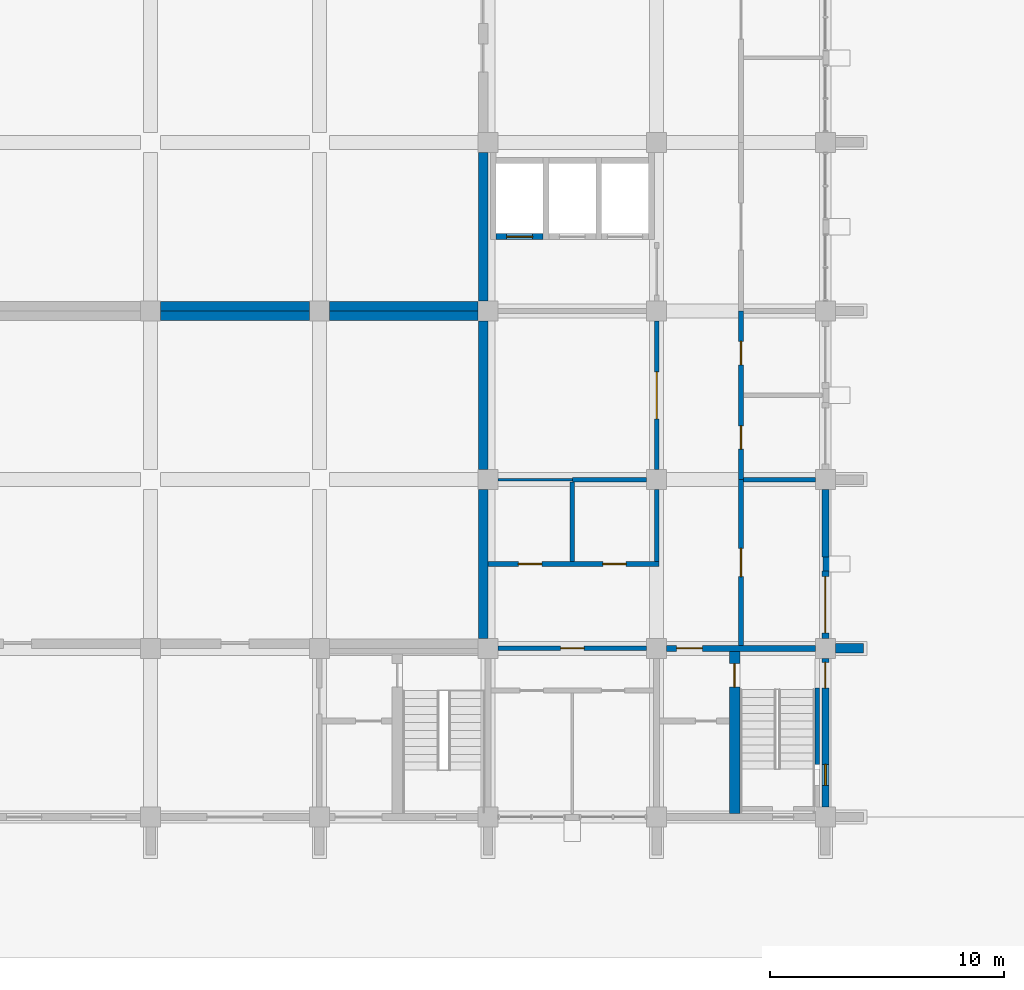
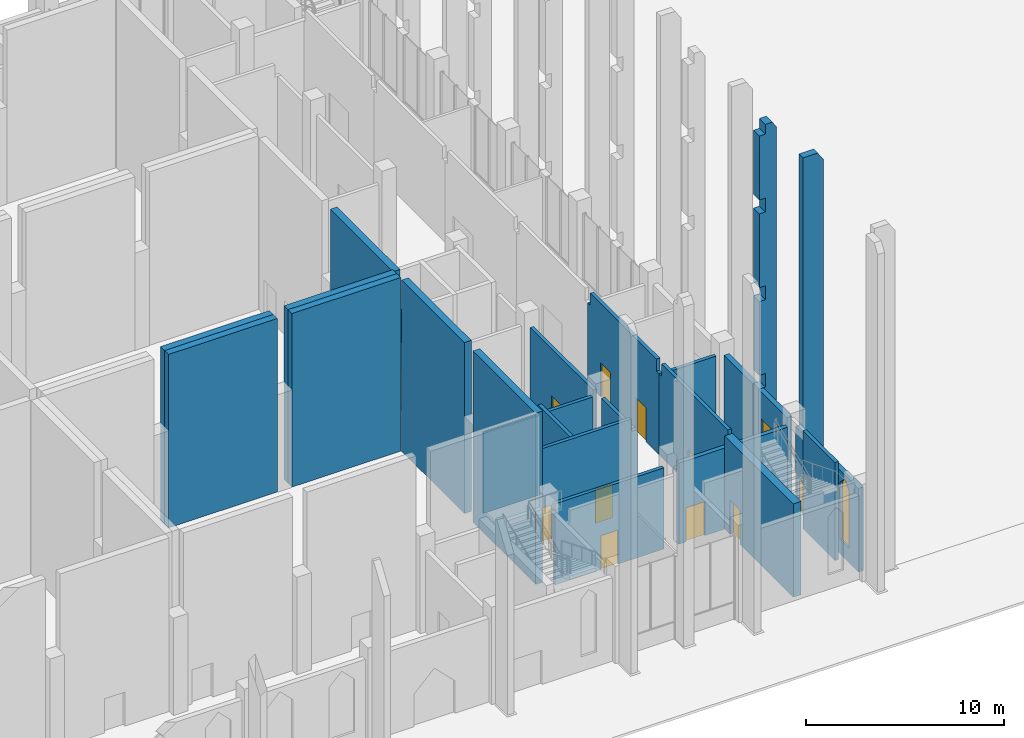
# One storey, part 37 of 50: 26 walls, 12 doors, 1 window, 13 openings.
"""IFC4 building model written with IfcOpenShell, lengths in metres."""

from ifc_helpers import new_model, si_unit, direction, frame, frame_2d, origin, place, context, subcontext, project, spatial, polyline, rectangle, outline, extrude, material, layer, layer_set, type_object, element, fill, save


model = new_model("IFC4")

# Units and contexts
model_context = context("Model", 3, precision=1e-05, world=origin(), true_north=direction((0.0, 1.0)))
body_context = subcontext(model_context, "Body", "Model", "MODEL_VIEW")
ifc_project = project(units=[si_unit("LENGTHUNIT", "METRE"), si_unit("AREAUNIT", "SQUARE_METRE"), si_unit("VOLUMEUNIT", "CUBIC_METRE"), si_unit("PLANEANGLEUNIT", "RADIAN"), si_unit("MASSUNIT", "GRAM", prefix="KILO")], contexts=[model_context])

# Site, building, storey
site_placement = place(None, origin())
site = spatial("IfcSite", under=ifc_project, at=site_placement, CompositionType="ELEMENT")
building_placement = place(site_placement, origin())
building = spatial("IfcBuilding", under=site, at=building_placement, Name="Silangan Lancet Faculty of Sciences", CompositionType="ELEMENT")
storey_placement = place(building_placement, origin())
storey = spatial("IfcBuildingStorey", under=building, at=storey_placement, Name="L00", CompositionType="ELEMENT", Elevation=0.0)

# Wall, opening, door
ifc_material_1 = material(Name="Concrete C40/50 precast", Category="concrete")
ifc_layer_1 = layer(ifc_material_1, 0.300048828125)
ifc_layer_set_1 = layer_set([ifc_layer_1], Name="Concrete C40/50 precast")
wall_type_1 = type_object("IfcWallType", Name="EW1 Precast cladding wall", PredefinedType="STANDARD", material=ifc_layer_set_1)
wall_1_placement = place(storey_placement, frame((86.39990234375, 7.625, 0.0), z_axis=(0.0, 0.0, 1.0), x_axis=(0.0, 1.0, 0.0)))
wall_1 = element("IfcWall", 1, at=wall_1_placement, inside=storey, type_object=wall_type_1, Name="EW-L00-E-EB-m00", PredefinedType="STANDARD", context=body_context, shape_type="SweptSolid", body=[
    extrude(rectangle(XDim=2.875, YDim=0.300048828125, at=frame_2d((1.4375, 0.0))), origin(), (0.0, 0.0, 1.0), 5.14990234375),
])
opening_1_placement = place(wall_1_placement, frame((0.237548828125, 0.0, 0.0)))
opening_1 = element("IfcOpeningElement", 2, at=opening_1_placement, cuts=wall_1, Name="Opening L00-916", PredefinedType="OPENING", context=body_context, shape_type="SweptSolid", body=[
    extrude(rectangle(XDim=2.39990234375, YDim=3.5, at=frame_2d((1.199951171875, 1.75))), frame((0.0, 0.159912109375, 0.0), z_axis=(0.0, -1.0, 0.0), x_axis=(1.0, 0.0, 0.0)), (0.0, 0.0, 1.0), 0.320068359375),
])
ifc_material_2 = material(Name="Steel roller shutter, insulated", Category="steel")
door_type_1 = type_object("IfcDoorType", Name="XD6 Loading dock door 2400 x 3500", OperationType="ROLLINGUP", PredefinedType="DOOR", material=ifc_material_2)
door_1_placement = place(opening_1_placement, frame((2.39990234375, 0.0, 0.0), z_axis=(0.0, 0.0, 1.0), x_axis=(-1.0, 0.0, 0.0)))
door_1 = element("IfcDoor", 3, at=door_1_placement, inside=storey, type_object=door_type_1, Name="DOOR-L00-916", OperationType="ROLLINGUP", OverallHeight=3.5, OverallWidth=2.39990234375, PredefinedType="DOOR", context=body_context, shape_type="SweptSolid", body=[
    extrude(rectangle(XDim=2.39990234375, YDim=3.5, at=frame_2d((1.199951171875, 1.75))), frame((0.0, 0.025146484375, 0.0), z_axis=(0.0, -1.0, 0.0), x_axis=(1.0, 0.0, 0.0)), (0.0, 0.0, 1.0), 0.050048828125),
])
fill(opening_1, door_1)

# Wall
wall_2_placement = place(storey_placement, frame((86.39990234375, 11.10009765625, 0.0), z_axis=(0.0, 0.0, 1.0), x_axis=(0.0, 1.0, 0.0)))
element("IfcWall", 4, at=wall_2_placement, inside=storey, type_object=wall_type_1, Name="EW-L00-E-EB-m01", PredefinedType="STANDARD", context=body_context, shape_type="SweptSolid", body=[
    extrude(rectangle(XDim=2.875, YDim=0.300048828125, at=frame_2d((1.4375, 0.0))), origin(), (0.0, 0.0, 1.0), 5.14990234375),
])

# Wall, openings, window, door
ifc_material_3 = material(Name="Concrete C40/50 precast", Category="concrete")
ifc_layer_2 = layer(ifc_material_3, 0.300048828125)
ifc_layer_set_2 = layer_set([ifc_layer_2], Name="Concrete C40/50 precast")
wall_type_2 = type_object("IfcWallType", Name="EW2 Turret enclosure wall", PredefinedType="STANDARD", material=ifc_layer_set_2)
wall_3_placement = place(storey_placement, frame((86.39990234375, 0.425048828125, 0.0), z_axis=(0.0, 0.0, 1.0), x_axis=(0.0, 1.0, 0.0)))
wall_3 = element("IfcWall", 5, at=wall_3_placement, inside=storey, type_object=wall_type_2, Name="EW-L00-E-EB-00", PredefinedType="STANDARD", context=body_context, shape_type="SweptSolid", body=[
    extrude(rectangle(XDim=6.349853515625, YDim=0.300048828125, at=frame_2d((3.1748046875, 0.0))), origin(), (0.0, 0.0, 1.0), 5.14990234375),
])
opening_2_placement = place(wall_3_placement, frame((5.074951171875, 0.0, 0.0)))
opening_2 = element("IfcOpeningElement", 6, at=opening_2_placement, cuts=wall_3, Name="Opening L00-903", PredefinedType="OPENING", context=body_context, shape_type="SweptSolid", body=[
    extrude(rectangle(XDim=1.10009765625, YDim=2.10009765625, at=frame_2d((0.550048828125, 1.050048828125))), frame((0.0, 0.159912109375, 0.0), z_axis=(0.0, -1.0, 0.0), x_axis=(1.0, 0.0, 0.0)), (0.0, 0.0, 1.0), 0.320068359375),
])
opening_3_placement = place(wall_3_placement, frame((0.925048828125, 0.0, 0.89990234375)))
opening_3 = element("IfcOpeningElement", 7, at=opening_3_placement, cuts=wall_3, Name="Opening W2", PredefinedType="OPENING", context=body_context, shape_type="SweptSolid", body=[
    extrude(outline(polyline([(0.0, 0.0), (0.89990234375, 0.0), (0.89990234375, 3.550048828125), (0.449951171875, 4.0), (0.0, 3.550048828125), (0.0, 0.0)])), frame((0.0, 0.159912109375, 0.0), z_axis=(0.0, -1.0, 0.0), x_axis=(1.0, 0.0, 0.0)), (0.0, 0.0, 1.0), 0.320068359375),
])
ifc_material_4 = material(Name="Aluminium frame, laminated double glazing", Category="aluminium")
window_type = type_object("IfcWindowType", Name="W2 Lancet window 900 x 4000", PartitioningType="SINGLE_PANEL", PredefinedType="WINDOW", material=ifc_material_4)
window_placement = place(opening_3_placement, origin())
window = element("IfcWindow", 8, at=window_placement, inside=storey, type_object=window_type, Name="WIN-L00-E-EB-00a", OverallHeight=4.0, OverallWidth=0.89990234375, PartitioningType="SINGLE_PANEL", PredefinedType="WINDOW", context=body_context, shape_type="SweptSolid", body=[
    extrude(outline(polyline([(0.0, 0.0), (0.89990234375, 0.0), (0.89990234375, 3.550048828125), (0.449951171875, 4.0), (0.0, 3.550048828125), (0.0, 0.0)])), frame((0.0, 0.030029296875, 0.0), z_axis=(0.0, -1.0, 0.0), x_axis=(1.0, 0.0, 0.0)), (0.0, 0.0, 1.0), 0.06005859375),
])
fill(opening_3, window)
ifc_material_5 = material(Name="Steel hollow-metal, fire rated", Category="steel")
door_type_2 = type_object("IfcDoorType", Name="XD1 Stair discharge door 1100 x 2100", OperationType="SINGLE_SWING_LEFT", PredefinedType="DOOR", material=ifc_material_5)
door_2_placement = place(opening_2_placement, frame((1.10009765625, 0.0, 0.0), z_axis=(0.0, 0.0, 1.0), x_axis=(-1.0, 0.0, 0.0)))
door_2 = element("IfcDoor", 9, at=door_2_placement, inside=storey, type_object=door_type_2, Name="DOOR-L00-903", OperationType="SINGLE_SWING_LEFT", OverallHeight=2.10009765625, OverallWidth=1.10009765625, PredefinedType="DOOR", context=body_context, shape_type="SweptSolid", body=[
    extrude(rectangle(XDim=1.10009765625, YDim=2.10009765625, at=frame_2d((0.550048828125, 1.050048828125))), frame((0.0, 0.025146484375, 0.0), z_axis=(0.0, -1.0, 0.0), x_axis=(1.0, 0.0, 0.0)), (0.0, 0.0, 1.0), 0.050048828125),
])
fill(opening_2, door_2)

# Walls
ifc_material_6 = material(Name="Concrete C40/50 precast", Category="concrete")
ifc_layer_3 = layer(ifc_material_6, 0.60009765625)
ifc_layer_set_3 = layer_set([ifc_layer_3], Name="Concrete C40/50 precast")
wall_type_3 = type_object("IfcWallType", Name="FN1 Buttress Fin mid-bay stage 1 21350", PredefinedType="POLYGONAL", material=ifc_layer_set_3)
wall_4_placement = place(storey_placement, frame((86.300048828125, 10.800048828125, 0.0), z_axis=(0.0, 0.0, 1.0), x_axis=(1.0, 0.0, 0.0)))
element("IfcWall", 10, at=wall_4_placement, inside=storey, type_object=wall_type_3, Name="FIN-E-EB-1", PredefinedType="POLYGONAL", context=body_context, shape_type="SweptSolid", body=[
    extrude(outline(polyline([(1.0, 0.0), (1.0, 20.97509765625), (0.75, 21.35009765625), (0.35009765625, 21.35009765625), (0.35009765625, 20.75), (0.0, 20.75), (0.0, 16.800048828125), (0.35009765625, 16.800048828125), (0.35009765625, 15.949951171875), (0.0, 15.949951171875), (0.0, 11.39990234375), (0.35009765625, 11.39990234375), (0.35009765625, 10.550048828125), (0.0, 10.550048828125), (0.0, 6.0), (0.35009765625, 6.0), (0.35009765625, 5.14990234375), (0.0, 5.14990234375), (0.0, 0.0), (1.0, 0.0)])), frame((0.0, 0.300048828125, 0.0), z_axis=(0.0, -1.0, 0.0), x_axis=(1.0, 0.0, 0.0)), (0.0, 0.0, 1.0), 0.60009765625),
])
ifc_material_7 = material(Name="Concrete C40/50 precast", Category="concrete")
ifc_layer_4 = layer(ifc_material_7, 0.39990234375)
ifc_layer_set_4 = layer_set([ifc_layer_4], Name="Concrete C40/50 precast")
wall_type_4 = type_object("IfcWallType", Name="FN55 Buttress Fin column line stage 1 21350", PredefinedType="POLYGONAL", material=ifc_layer_set_4)
wall_5_placement = place(storey_placement, frame((86.824951171875, 7.199951171875, 0.0), z_axis=(0.0, 0.0, 1.0), x_axis=(1.0, 0.0, 0.0)))
element("IfcWall", 11, at=wall_5_placement, inside=storey, type_object=wall_type_4, Name="FINC-E-EB-02", PredefinedType="POLYGONAL", context=body_context, shape_type="SweptSolid", body=[
    extrude(outline(polyline([(1.199951171875, 0.0), (1.199951171875, 20.824951171875), (0.85009765625, 21.35009765625), (0.0, 21.35009765625), (0.0, 0.0), (1.199951171875, 0.0)])), frame((0.0, 0.199951171875, 0.0), z_axis=(0.0, -1.0, 0.0), x_axis=(1.0, 0.0, 0.0)), (0.0, 0.0, 1.0), 0.39990234375),
])

# Wall, opening, door
ifc_material_8 = material(Name="Hollow block masonry fm 7 MPa", Category="masonry")
ifc_layer_5 = layer(ifc_material_8, 0.199951171875)
ifc_layer_set_5 = layer_set([ifc_layer_5], Name="Hollow block masonry fm 7 MPa")
wall_type_5 = type_object("IfcWallType", Name="Interior wall PW1 Corridor wall CHB 200", PredefinedType="PARTITIONING", material=ifc_layer_set_5)
wall_6_placement = place(storey_placement, frame((72.425048828125, 7.199951171875, 0.0), z_axis=(0.0, 0.0, 1.0), x_axis=(1.0, 0.0, 0.0)))
wall_6 = element("IfcWall", 12, at=wall_6_placement, inside=storey, type_object=wall_type_5, Name="Corridor wall CHB 200", PredefinedType="PARTITIONING", context=body_context, shape_type="SweptSolid", body=[
    extrude(rectangle(XDim=6.349853515625, YDim=0.199951171875, at=frame_2d((3.1748046875, 0.0))), origin(), (0.0, 0.0, 1.0), 5.0),
])
opening_4_placement = place(wall_6_placement, frame((2.675048828125, 0.0, 0.0)))
opening_4 = element("IfcOpeningElement", 13, at=opening_4_placement, cuts=wall_6, Name="Opening L00-004", PredefinedType="OPENING", context=body_context, shape_type="SweptSolid", body=[
    extrude(rectangle(XDim=1.0, YDim=2.10009765625, at=frame_2d((0.5, 1.050048828125))), frame((0.0, 0.10986328125, 0.0), z_axis=(0.0, -1.0, 0.0), x_axis=(1.0, 0.0, 0.0)), (0.0, 0.0, 1.0), 0.219970703125),
])
ifc_material_9 = material(Name="Steel fire door set", Category="steel")
door_type_3 = type_object("IfcDoorType", Name="Door D1 Single leaf fire door 1000 x 2100", OperationType="SINGLE_SWING_LEFT", PredefinedType="DOOR", material=ifc_material_9)
door_3_placement = place(opening_4_placement, frame((1.0, 0.0, 0.0), z_axis=(0.0, 0.0, 1.0), x_axis=(-1.0, 0.0, 0.0)))
door_3 = element("IfcDoor", 14, at=door_3_placement, inside=storey, type_object=door_type_3, Name="Single leaf fire door 1000 x 2100", OperationType="SINGLE_SWING_LEFT", OverallHeight=2.10009765625, OverallWidth=1.0, PredefinedType="DOOR", context=body_context, shape_type="SweptSolid", body=[
    extrude(rectangle(XDim=1.0, YDim=2.10009765625, at=frame_2d((0.5, 1.050048828125))), frame((0.0, 0.025146484375, 0.0), z_axis=(0.0, -1.0, 0.0), x_axis=(1.0, 0.0, 0.0)), (0.0, 0.0, 1.0), 0.050048828125),
])
fill(opening_4, door_3)

# Wall, openings, doors
wall_7_placement = place(storey_placement, frame((72.0, 10.800048828125, 0.0), z_axis=(0.0, 0.0, 1.0), x_axis=(1.0, 0.0, 0.0)))
wall_7 = element("IfcWall", 15, at=wall_7_placement, inside=storey, type_object=wall_type_5, Name="Corridor wall CHB 200", PredefinedType="PARTITIONING", context=body_context, shape_type="SweptSolid", body=[
    extrude(outline(polyline([(0.0, 0.0), (7.300048828125, 0.0), (7.300048828125, 5.0), (6.949951171875, 5.0), (6.949951171875, 5.75), (0.550048828125, 5.75), (0.550048828125, 5.050048828125), (0.0, 5.050048828125), (0.0, 0.0)])), frame((0.0, 0.10009765625, 0.0), z_axis=(0.0, -1.0, 0.0), x_axis=(1.0, 0.0, 0.0)), (0.0, 0.0, 1.0), 0.199951171875),
])
opening_5_placement = place(wall_7_placement, frame((1.300048828125, 0.0, 0.0)))
opening_5 = element("IfcOpeningElement", 16, at=opening_5_placement, cuts=wall_7, Name="Opening L00-024", PredefinedType="OPENING", context=body_context, shape_type="SweptSolid", body=[
    extrude(rectangle(XDim=1.0, YDim=2.10009765625, at=frame_2d((0.5, 1.050048828125))), frame((0.0, 0.10986328125, 0.0), z_axis=(0.0, -1.0, 0.0), x_axis=(1.0, 0.0, 0.0)), (0.0, 0.0, 1.0), 0.219970703125),
])
opening_6_placement = place(wall_7_placement, frame((4.89990234375, 0.0, 0.0)))
opening_6 = element("IfcOpeningElement", 17, at=opening_6_placement, cuts=wall_7, Name="Opening L00-025", PredefinedType="OPENING", context=body_context, shape_type="SweptSolid", body=[
    extrude(rectangle(XDim=1.0, YDim=2.10009765625, at=frame_2d((0.5, 1.050048828125))), frame((0.0, 0.10986328125, 0.0), z_axis=(0.0, -1.0, 0.0), x_axis=(1.0, 0.0, 0.0)), (0.0, 0.0, 1.0), 0.219970703125),
])
door_4_placement = place(opening_5_placement, origin())
door_4 = element("IfcDoor", 18, at=door_4_placement, inside=storey, type_object=door_type_3, Name="Single leaf fire door 1000 x 2100", OperationType="SINGLE_SWING_LEFT", OverallHeight=2.10009765625, OverallWidth=1.0, PredefinedType="DOOR", context=body_context, shape_type="SweptSolid", body=[
    extrude(rectangle(XDim=1.0, YDim=2.10009765625, at=frame_2d((0.5, 1.050048828125))), frame((0.0, 0.02490234375, 0.0), z_axis=(0.0, -1.0, 0.0), x_axis=(1.0, 0.0, 0.0)), (0.0, 0.0, 1.0), 0.050048828125),
])
fill(opening_5, door_4)
door_5_placement = place(opening_6_placement, origin())
door_5 = element("IfcDoor", 19, at=door_5_placement, inside=storey, type_object=door_type_3, Name="Single leaf fire door 1000 x 2100", OperationType="SINGLE_SWING_RIGHT", OverallHeight=2.10009765625, OverallWidth=1.0, PredefinedType="DOOR", context=body_context, shape_type="SweptSolid", body=[
    extrude(rectangle(XDim=1.0, YDim=2.10009765625, at=frame_2d((0.5, 1.050048828125))), frame((0.0, 0.02490234375, 0.0), z_axis=(0.0, -1.0, 0.0), x_axis=(1.0, 0.0, 0.0)), (0.0, 0.0, 1.0), 0.050048828125),
])
fill(opening_6, door_5)

# Wall
wall_8_placement = place(storey_placement, frame((79.199951171875, 10.89990234375, 0.0), z_axis=(0.0, 0.0, 1.0), x_axis=(0.0, 1.0, 0.0)))
element("IfcWall", 20, at=wall_8_placement, inside=storey, type_object=wall_type_5, Name="Corridor wall CHB 200", PredefinedType="PARTITIONING", context=body_context, shape_type="SweptSolid", body=[
    extrude(rectangle(XDim=3.0751953125, YDim=0.199951171875, at=frame_2d((1.53759765625, 0.0))), origin(), (0.0, 0.0, 1.0), 5.0),
])

# Wall, opening, door
wall_9_placement = place(storey_placement, frame((79.199951171875, 14.824951171875, 0.0), z_axis=(0.0, 0.0, 1.0), x_axis=(0.0, 1.0, 0.0)))
wall_9 = element("IfcWall", 21, at=wall_9_placement, inside=storey, type_object=wall_type_5, Name="Corridor wall CHB 200", PredefinedType="PARTITIONING", context=body_context, shape_type="SweptSolid", body=[
    extrude(rectangle(XDim=6.35009765625, YDim=0.199951171875, at=frame_2d((3.175048828125, 0.0))), origin(), (0.0, 0.0, 1.0), 5.0),
])
opening_7_placement = place(wall_9_placement, frame((2.175048828125, 0.0, 0.0)))
opening_7 = element("IfcOpeningElement", 22, at=opening_7_placement, cuts=wall_9, Name="Opening L00-026", PredefinedType="OPENING", context=body_context, shape_type="SweptSolid", body=[
    extrude(rectangle(XDim=2.0, YDim=2.10009765625, at=frame_2d((1.0, 1.050048828125))), frame((0.0, 0.10986328125, 0.0), z_axis=(0.0, -1.0, 0.0), x_axis=(1.0, 0.0, 0.0)), (0.0, 0.0, 1.0), 0.219970703125),
])
ifc_material_10 = material(Name="Steel fire door set", Category="steel")
door_type_4 = type_object("IfcDoorType", Name="Door D4 Double leaf fire door 2000 x 2100", OperationType="DOUBLE_DOOR_SINGLE_SWING", PredefinedType="DOOR", material=ifc_material_10)
door_6_placement = place(opening_7_placement, origin())
door_6 = element("IfcDoor", 23, at=door_6_placement, inside=storey, type_object=door_type_4, Name="Double leaf fire door 2000 x 2100", OperationType="DOUBLE_DOOR_SINGLE_SWING", OverallHeight=2.10009765625, OverallWidth=2.0, PredefinedType="DOOR", context=body_context, shape_type="SweptSolid", body=[
    extrude(rectangle(XDim=2.0, YDim=2.10009765625, at=frame_2d((1.0, 1.050048828125))), frame((0.0, 0.02490234375, 0.0), z_axis=(0.0, -1.0, 0.0), x_axis=(1.0, 0.0, 0.0)), (0.0, 0.0, 1.0), 0.050048828125),
])
fill(opening_7, door_6)

# Wall, openings, doors
wall_10_placement = place(storey_placement, frame((82.800048828125, 14.39990234375, 0.0), z_axis=(0.0, 0.0, 1.0), x_axis=(0.0, 1.0, 0.0)))
wall_10 = element("IfcWall", 24, at=wall_10_placement, inside=storey, type_object=wall_type_5, Name="Corridor wall CHB 200", PredefinedType="PARTITIONING", context=body_context, shape_type="SweptSolid", body=[
    extrude(outline(polyline([(0.0, 0.0), (7.2001953125, 0.0), (7.2001953125, 5.0), (6.9501953125, 5.0), (6.9501953125, 5.75), (0.25, 5.75), (0.25, 5.0), (0.0, 5.0), (0.0, 0.0)])), frame((0.0, 0.10009765625, 0.0), z_axis=(0.0, -1.0, 0.0), x_axis=(1.0, 0.0, 0.0)), (0.0, 0.0, 1.0), 0.199951171875),
])
opening_8_placement = place(wall_10_placement, frame((1.300048828125, 0.0, 0.0)))
opening_8 = element("IfcOpeningElement", 25, at=opening_8_placement, cuts=wall_10, Name="Opening L00-030", PredefinedType="OPENING", context=body_context, shape_type="SweptSolid", body=[
    extrude(rectangle(XDim=1.0, YDim=2.10009765625, at=frame_2d((0.5, 1.050048828125))), frame((0.0, 0.10986328125, 0.0), z_axis=(0.0, -1.0, 0.0), x_axis=(1.0, 0.0, 0.0)), (0.0, 0.0, 1.0), 0.219970703125),
])
opening_9_placement = place(wall_10_placement, frame((4.900146484375, 0.0, 0.0)))
opening_9 = element("IfcOpeningElement", 26, at=opening_9_placement, cuts=wall_10, Name="Opening L00-031", PredefinedType="OPENING", context=body_context, shape_type="SweptSolid", body=[
    extrude(rectangle(XDim=1.0, YDim=2.10009765625, at=frame_2d((0.5, 1.050048828125))), frame((0.0, 0.10986328125, 0.0), z_axis=(0.0, -1.0, 0.0), x_axis=(1.0, 0.0, 0.0)), (0.0, 0.0, 1.0), 0.219970703125),
])
door_7_placement = place(opening_8_placement, frame((1.0, 0.0, 0.0), z_axis=(0.0, 0.0, 1.0), x_axis=(-1.0, 0.0, 0.0)))
door_7 = element("IfcDoor", 27, at=door_7_placement, inside=storey, type_object=door_type_3, Name="Single leaf fire door 1000 x 2100", OperationType="SINGLE_SWING_RIGHT", OverallHeight=2.10009765625, OverallWidth=1.0, PredefinedType="DOOR", context=body_context, shape_type="SweptSolid", body=[
    extrude(rectangle(XDim=1.0, YDim=2.10009765625, at=frame_2d((0.5, 1.050048828125))), frame((0.0, 0.025146484375, 0.0), z_axis=(0.0, -1.0, 0.0), x_axis=(1.0, 0.0, 0.0)), (0.0, 0.0, 1.0), 0.050048828125),
])
fill(opening_8, door_7)
door_8_placement = place(opening_9_placement, frame((1.0, 0.0, 0.0), z_axis=(0.0, 0.0, 1.0), x_axis=(-1.0, 0.0, 0.0)))
door_8 = element("IfcDoor", 28, at=door_8_placement, inside=storey, type_object=door_type_3, Name="Single leaf fire door 1000 x 2100", OperationType="SINGLE_SWING_LEFT", OverallHeight=2.10009765625, OverallWidth=1.0, PredefinedType="DOOR", context=body_context, shape_type="SweptSolid", body=[
    extrude(rectangle(XDim=1.0, YDim=2.10009765625, at=frame_2d((0.5, 1.050048828125))), frame((0.0, 0.025146484375, 0.0), z_axis=(0.0, -1.0, 0.0), x_axis=(1.0, 0.0, 0.0)), (0.0, 0.0, 1.0), 0.050048828125),
])
fill(opening_9, door_8)

# Walls
ifc_material_11 = material(Name="Concrete C35/45", Category="concrete")
ifc_layer_6 = layer(ifc_material_11, 0.39990234375)
ifc_layer_set_6 = layer_set([ifc_layer_6], Name="Concrete C35/45")
wall_type_6 = type_object("IfcWallType", Name="Interior wall PW10 Theatre box wall RC 400", PredefinedType="SOLIDWALL", material=ifc_layer_set_6)
wall_11_placement = place(storey_placement, frame((58.02490234375, 21.39990234375, 0.0), z_axis=(0.0, 0.0, 1.0), x_axis=(1.0, 0.0, 0.0)))
element("IfcWall", 29, at=wall_11_placement, inside=storey, type_object=wall_type_6, Name="Theatre box wall RC 400", PredefinedType="SOLIDWALL", context=body_context, shape_type="SweptSolid", body=[
    extrude(rectangle(XDim=6.35009765625, YDim=0.39990234375, at=frame_2d((3.175048828125, 0.0))), origin(), (0.0, 0.0, 1.0), 10.699951171875),
])
wall_12_placement = place(storey_placement, frame((65.22509765625, 21.39990234375, 0.0), z_axis=(0.0, 0.0, 1.0), x_axis=(1.0, 0.0, 0.0)))
element("IfcWall", 30, at=wall_12_placement, inside=storey, type_object=wall_type_6, Name="Theatre box wall RC 400", PredefinedType="SOLIDWALL", context=body_context, shape_type="SweptSolid", body=[
    extrude(rectangle(XDim=6.349853515625, YDim=0.39990234375, at=frame_2d((3.1748046875, 0.0))), origin(), (0.0, 0.0, 1.0), 10.699951171875),
])
wall_13_placement = place(storey_placement, frame((58.02490234375, 21.800048828125, 0.0), z_axis=(0.0, 0.0, 1.0), x_axis=(1.0, 0.0, 0.0)))
element("IfcWall", 31, at=wall_13_placement, inside=storey, type_object=wall_type_6, Name="Theatre box wall RC 400", PredefinedType="SOLIDWALL", context=body_context, shape_type="SweptSolid", body=[
    extrude(rectangle(XDim=6.35009765625, YDim=0.39990234375, at=frame_2d((3.175048828125, 0.0))), origin(), (0.0, 0.0, 1.0), 10.699951171875),
])
wall_14_placement = place(storey_placement, frame((65.22509765625, 21.800048828125, 0.0), z_axis=(0.0, 0.0, 1.0), x_axis=(1.0, 0.0, 0.0)))
element("IfcWall", 32, at=wall_14_placement, inside=storey, type_object=wall_type_6, Name="Theatre box wall RC 400", PredefinedType="SOLIDWALL", context=body_context, shape_type="SweptSolid", body=[
    extrude(rectangle(XDim=6.349853515625, YDim=0.39990234375, at=frame_2d((3.1748046875, 0.0))), origin(), (0.0, 0.0, 1.0), 10.699951171875),
])
for number, where, z_axis, x_axis, name in (
    (33, (71.800048828125, 7.625, 0.0), (0.0, 0.0, 1.0), (0.0, 1.0, 0.0), "Theatre box wall RC 400"),
    (34, (71.800048828125, 14.824951171875, 0.0), (0.0, 0.0, 1.0), (0.0, 1.0, 0.0), "Theatre box wall RC 400"),
    (35, (71.800048828125, 22.02490234375, 0.0), (0.0, 0.0, 1.0), (0.0, 1.0, 0.0), "Theatre box wall RC 400"),
):
    element("IfcWall", number, at=place(storey_placement, frame(where, z_axis=z_axis, x_axis=x_axis)), inside=storey, type_object=wall_type_6, Name=name, PredefinedType="SOLIDWALL", context=body_context, shape_type="SweptSolid", body=[
        extrude(rectangle(XDim=6.35009765625, YDim=0.39990234375, at=frame_2d((3.175048828125, 0.0))), origin(), (0.0, 0.0, 1.0), 10.550048828125),
    ])
ifc_material_12 = material(Name="Hollow block masonry fm 7 MPa", Category="masonry")
ifc_layer_7 = layer(ifc_material_12, 0.199951171875)
ifc_layer_set_7 = layer_set([ifc_layer_7], Name="Hollow block masonry fm 7 MPa")
wall_type_7 = type_object("IfcWallType", Name="Interior wall PW4 Laboratory separation CHB 200", PredefinedType="PARTITIONING", material=ifc_layer_set_7)
wall_15_placement = place(storey_placement, frame((75.60009765625, 14.39990234375, 0.0), z_axis=(0.0, 0.0, 1.0), x_axis=(1.0, 0.0, 0.0)))
element("IfcWall", 36, at=wall_15_placement, inside=storey, type_object=wall_type_7, Name="Laboratory separation CHB 200", PredefinedType="PARTITIONING", context=body_context, shape_type="SweptSolid", body=[
    extrude(rectangle(XDim=3.1748046875, YDim=0.199951171875, at=frame_2d((1.58740234375, 0.0))), origin(), (0.0, 0.0, 1.0), 5.0),
])
wall_16_placement = place(storey_placement, frame((75.60009765625, 10.89990234375, 0.0), z_axis=(0.0, 0.0, 1.0), x_axis=(0.0, 1.0, 0.0)))
element("IfcWall", 37, at=wall_16_placement, inside=storey, type_object=wall_type_7, Name="Laboratory separation CHB 200", PredefinedType="PARTITIONING", context=body_context, shape_type="SweptSolid", body=[
    extrude(outline(polyline([(0.0, 0.0), (3.400146484375, 0.0), (3.400146484375, 5.0), (3.25, 5.0), (3.25, 5.75), (0.0, 5.75), (0.0, 0.0)])), frame((0.0, 0.10009765625, 0.0), z_axis=(0.0, -1.0, 0.0), x_axis=(1.0, 0.0, 0.0)), (0.0, 0.0, 1.0), 0.199951171875),
])
ifc_material_13 = material(Name="Hollow block masonry fm 7 MPa", Category="masonry")
ifc_layer_8 = layer(ifc_material_13, 0.199951171875)
ifc_layer_set_8 = layer_set([ifc_layer_8], Name="Hollow block masonry fm 7 MPa")
wall_type_8 = type_object("IfcWallType", Name="Interior wall PW6 Plant room wall CHB 200", PredefinedType="PARTITIONING", material=ifc_layer_set_8)
wall_17_placement = place(storey_placement, frame((82.89990234375, 14.39990234375, 0.0), z_axis=(0.0, 0.0, 1.0), x_axis=(1.0, 0.0, 0.0)))
element("IfcWall", 38, at=wall_17_placement, inside=storey, type_object=wall_type_8, Name="Plant room wall CHB 200", PredefinedType="PARTITIONING", context=body_context, shape_type="SweptSolid", body=[
    extrude(rectangle(XDim=3.0751953125, YDim=0.199951171875, at=frame_2d((1.53759765625, 0.0))), origin(), (0.0, 0.0, 1.0), 5.0),
])

# Wall, opening, door
wall_18_placement = place(storey_placement, frame((82.800048828125, 7.324951171875, 0.0), z_axis=(0.0, 0.0, 1.0), x_axis=(0.0, 1.0, 0.0)))
wall_18 = element("IfcWall", 39, at=wall_18_placement, inside=storey, type_object=wall_type_8, Name="Plant room wall CHB 200", PredefinedType="PARTITIONING", context=body_context, shape_type="SweptSolid", body=[
    extrude(outline(polyline([(0.0, 0.0), (7.074951171875, 0.0), (7.074951171875, 5.0), (6.824951171875, 5.0), (6.824951171875, 5.75), (0.125, 5.75), (0.125, 5.0), (0.0, 5.0), (0.0, 0.0)])), frame((0.0, 0.10009765625, 0.0), z_axis=(0.0, -1.0, 0.0), x_axis=(1.0, 0.0, 0.0)), (0.0, 0.0, 1.0), 0.199951171875),
])
opening_10_placement = place(wall_18_placement, frame((2.9375, 0.0, 0.0)))
opening_10 = element("IfcOpeningElement", 40, at=opening_10_placement, cuts=wall_18, Name="Opening L00-029", PredefinedType="OPENING", context=body_context, shape_type="SweptSolid", body=[
    extrude(rectangle(XDim=1.199951171875, YDim=2.10009765625, at=frame_2d((0.60009765625, 1.050048828125))), frame((0.0, 0.10986328125, 0.0), z_axis=(0.0, -1.0, 0.0), x_axis=(1.0, 0.0, 0.0)), (0.0, 0.0, 1.0), 0.219970703125),
])
ifc_material_14 = material(Name="Steel fire door set", Category="steel")
door_type_5 = type_object("IfcDoorType", Name="Door D7 Plant room door 1200 x 2100", OperationType="SINGLE_SWING_LEFT", PredefinedType="DOOR", material=ifc_material_14)
door_9_placement = place(opening_10_placement, frame((1.199951171875, 0.0, 0.0), z_axis=(0.0, 0.0, 1.0), x_axis=(-1.0, 0.0, 0.0)))
door_9 = element("IfcDoor", 41, at=door_9_placement, inside=storey, type_object=door_type_5, Name="Plant room door 1200 x 2100", OperationType="SINGLE_SWING_LEFT", OverallHeight=2.10009765625, OverallWidth=1.199951171875, PredefinedType="DOOR", context=body_context, shape_type="SweptSolid", body=[
    extrude(rectangle(XDim=1.199951171875, YDim=2.10009765625, at=frame_2d((0.60009765625, 1.050048828125))), frame((0.0, 0.025146484375, 0.0), z_axis=(0.0, -1.0, 0.0), x_axis=(1.0, 0.0, 0.0)), (0.0, 0.0, 1.0), 0.050048828125),
])
fill(opening_10, door_9)

# Wall
ifc_material_15 = material(Name="Hollow block masonry fm 7 MPa", Category="masonry")
ifc_layer_9 = layer(ifc_material_15, 0.10009765625)
ifc_layer_set_9 = layer_set([ifc_layer_9], Name="Hollow block masonry fm 7 MPa")
wall_type_9 = type_object("IfcWallType", Name="Interior wall PW8 WC partition CHB 100", PredefinedType="PARTITIONING", material=ifc_layer_set_9)
wall_19_placement = place(storey_placement, frame((72.425048828125, 14.39990234375, 0.0), z_axis=(0.0, 0.0, 1.0), x_axis=(1.0, 0.0, 0.0)))
element("IfcWall", 42, at=wall_19_placement, inside=storey, type_object=wall_type_9, Name="WC partition CHB 100", PredefinedType="PARTITIONING", context=body_context, shape_type="SweptSolid", body=[
    extrude(rectangle(XDim=3.175048828125, YDim=0.10009765625, at=frame_2d((1.58740234375, 0.0))), origin(), (0.0, 0.0, 1.0), 5.0),
])

# Wall, opening, door
ifc_material_16 = material(Name="Concrete C40/50", Category="concrete")
ifc_layer_10 = layer(ifc_material_16, 0.25)
ifc_layer_set_10 = layer_set([ifc_layer_10], Name="Concrete C40/50")
wall_type_10 = type_object("IfcWallType", Name="LIFT SHAFT WALL RC 250", PredefinedType="SHEAR", material=ifc_layer_set_10)
wall_20_placement = place(storey_placement, frame((72.35009765625, 24.77490234375, -0.300048828125), z_axis=(0.0, 0.0, 1.0), x_axis=(1.0, 0.0, 0.0)))
wall_20 = element("IfcWall", 43, at=wall_20_placement, inside=storey, type_object=wall_type_10, Name="WALL-L00-EB-L1-F", PredefinedType="SHEAR", context=body_context, shape_type="SweptSolid", body=[
    extrude(rectangle(XDim=2.0, YDim=0.25, at=frame_2d((1.0, 0.0))), origin(), (0.0, 0.0, 1.0), 6.050048828125),
])
opening_11_placement = place(wall_20_placement, frame((0.449951171875, 0.0, 0.300048828125)))
opening_11 = element("IfcOpeningElement", 44, at=opening_11_placement, cuts=wall_20, Name="Opening L00-801", PredefinedType="OPENING", context=body_context, shape_type="SweptSolid", body=[
    extrude(rectangle(XDim=1.10009765625, YDim=2.10009765625, at=frame_2d((0.550048828125, 1.050048828125))), frame((0.0, 0.135009765625, 0.0), z_axis=(0.0, -1.0, 0.0), x_axis=(1.0, 0.0, 0.0)), (0.0, 0.0, 1.0), 0.27001953125),
])
ifc_material_17 = material(Name="Stainless steel sliding door", Category="steel")
door_type_6 = type_object("IfcDoorType", Name="LD1 Lift landing door 1100x2100", OperationType="SLIDING_TO_LEFT", PredefinedType="DOOR", material=ifc_material_17)
door_10_placement = place(opening_11_placement, origin())
door_10 = element("IfcDoor", 45, at=door_10_placement, inside=storey, type_object=door_type_6, Name="Landing door EB-L1 L00", OperationType="SLIDING_TO_LEFT", OverallHeight=2.10009765625, OverallWidth=1.10009765625, PredefinedType="DOOR", context=body_context, shape_type="SweptSolid", body=[
    extrude(rectangle(XDim=1.10009765625, YDim=2.10009765625, at=frame_2d((0.550048828125, 1.050048828125))), frame((0.0, 0.02490234375, 0.0), z_axis=(0.0, -1.0, 0.0), x_axis=(1.0, 0.0, 0.0)), (0.0, 0.0, 1.0), 0.050048828125),
])
fill(opening_11, door_10)

ifc_material_18 = material(Name="Concrete C40/50", Category="concrete")
ifc_layer_11 = layer(ifc_material_18, 0.449951171875)
ifc_layer_set_11 = layer_set([ifc_layer_11], Name="Concrete C40/50")
wall_type_11 = type_object("IfcWallType", Name="TURRET CORE WALL RC 450", PredefinedType="SHEAR", material=ifc_layer_set_11)
wall_21_placement = place(storey_placement, frame((82.52490234375, 0.14990234375, 0.0), z_axis=(0.0, 0.0, 1.0), x_axis=(0.0, 1.0, 0.0)))
wall_21 = element("IfcWall", 46, at=wall_21_placement, inside=storey, type_object=wall_type_11, Name="WALL-L00-EB-A-WELL", PredefinedType="SHEAR", context=body_context, shape_type="SweptSolid", body=[
    extrude(rectangle(XDim=6.925048828125, YDim=0.449951171875, at=frame_2d((3.46240234375, 0.0))), origin(), (0.0, 0.0, 1.0), 5.75),
])
opening_12_placement = place(wall_21_placement, frame((5.39990234375, 0.0, 0.0)))
opening_12 = element("IfcOpeningElement", 47, at=opening_12_placement, cuts=wall_21, Name="Opening L00-701", PredefinedType="OPENING", context=body_context, shape_type="SweptSolid", body=[
    extrude(rectangle(XDim=1.0, YDim=2.10009765625, at=frame_2d((0.5, 1.050048828125))), frame((0.0, 0.23486328125, 0.0), z_axis=(0.0, -1.0, 0.0), x_axis=(1.0, 0.0, 0.0)), (0.0, 0.0, 1.0), 0.469970703125),
])
ifc_material_19 = material(Name="Steel fire door set", Category="steel")
door_type_7 = type_object("IfcDoorType", Name="D71 Stair enclosure door 1000x2100", OperationType="SINGLE_SWING_LEFT", PredefinedType="DOOR", material=ifc_material_19)
door_11_placement = place(opening_12_placement, frame((1.0, 0.0, 0.0), z_axis=(0.0, 0.0, 1.0), x_axis=(-1.0, 0.0, 0.0)))
door_11 = element("IfcDoor", 48, at=door_11_placement, inside=storey, type_object=door_type_7, Name="Stair enclosure door EB-A L00", OperationType="SINGLE_SWING_LEFT", OverallHeight=2.10009765625, OverallWidth=1.0, PredefinedType="DOOR", context=body_context, shape_type="SweptSolid", body=[
    extrude(rectangle(XDim=1.0, YDim=2.10009765625, at=frame_2d((0.5, 1.050048828125))), frame((0.0, 0.025146484375, 0.0), z_axis=(0.0, -1.0, 0.0), x_axis=(1.0, 0.0, 0.0)), (0.0, 0.0, 1.0), 0.050048828125),
])
fill(opening_12, door_11)

# Wall
ifc_material_20 = material(Name="Concrete C40/50", Category="concrete")
ifc_layer_12 = layer(ifc_material_20, 0.199951171875)
ifc_layer_set_12 = layer_set([ifc_layer_12], Name="Concrete C40/50")
wall_type_12 = type_object("IfcWallType", Name="TURRET LINING WALL RC 200", PredefinedType="SHEAR", material=ifc_layer_set_12)
wall_22_placement = place(storey_placement, frame((86.050048828125, 2.25, -0.300048828125), z_axis=(0.0, 0.0, 1.0), x_axis=(0.0, 1.0, 0.0)))
element("IfcWall", 49, at=wall_22_placement, inside=storey, type_object=wall_type_12, Name="WALL-L00-EB-A-WL-2", PredefinedType="SHEAR", context=body_context, shape_type="SweptSolid", body=[
    extrude(rectangle(XDim=3.25, YDim=0.199951171875, at=frame_2d((1.625, 0.0))), origin(), (0.0, 0.0, 1.0), 6.050048828125),
])

# Wall, opening, door
ifc_material_21 = material(Name="Concrete C40/50", Category="concrete")
ifc_layer_13 = layer(ifc_material_21, 0.25)
ifc_layer_set_13 = layer_set([ifc_layer_13], Name="Concrete C40/50")
wall_type_13 = type_object("IfcWallType", Name="TURRET WALL RC 250", PredefinedType="SHEAR", material=ifc_layer_set_13)
wall_23_placement = place(storey_placement, frame((79.625, 7.199951171875, 0.0), z_axis=(0.0, 0.0, 1.0), x_axis=(1.0, 0.0, 0.0)))
wall_23 = element("IfcWall", 50, at=wall_23_placement, inside=storey, type_object=wall_type_13, Name="WALL-L00-EB-A-V", PredefinedType="SHEAR", context=body_context, shape_type="SweptSolid", body=[
    extrude(rectangle(XDim=6.35009765625, YDim=0.25, at=frame_2d((3.175048828125, 0.0))), origin(), (0.0, 0.0, 1.0), 5.0),
])
opening_13_placement = place(wall_23_placement, frame((0.425048828125, 0.0, 0.0)))
opening_13 = element("IfcOpeningElement", 51, at=opening_13_placement, cuts=wall_23, Name="Opening L00-702", PredefinedType="OPENING", context=body_context, shape_type="SweptSolid", body=[
    extrude(rectangle(XDim=1.10009765625, YDim=2.10009765625, at=frame_2d((0.550048828125, 1.050048828125))), frame((0.0, 0.135009765625, 0.0), z_axis=(0.0, -1.0, 0.0), x_axis=(1.0, 0.0, 0.0)), (0.0, 0.0, 1.0), 0.27001953125),
])
ifc_material_22 = material(Name="Steel fire door set", Category="steel")
door_type_8 = type_object("IfcDoorType", Name="D70 Stair vestibule door 1100x2100", OperationType="SINGLE_SWING_LEFT", PredefinedType="DOOR", material=ifc_material_22)
door_12_placement = place(opening_13_placement, frame((1.10009765625, 0.0, 0.0), z_axis=(0.0, 0.0, 1.0), x_axis=(-1.0, 0.0, 0.0)))
door_12 = element("IfcDoor", 52, at=door_12_placement, inside=storey, type_object=door_type_8, Name="Stair vestibule door EB-A L00", OperationType="SINGLE_SWING_RIGHT", OverallHeight=2.10009765625, OverallWidth=1.10009765625, PredefinedType="DOOR", context=body_context, shape_type="SweptSolid", body=[
    extrude(rectangle(XDim=1.10009765625, YDim=2.10009765625, at=frame_2d((0.550048828125, 1.050048828125))), frame((0.0, 0.025146484375, 0.0), z_axis=(0.0, -1.0, 0.0), x_axis=(1.0, 0.0, 0.0)), (0.0, 0.0, 1.0), 0.050048828125),
])
fill(opening_13, door_12)

save(model, "model.ifc")
